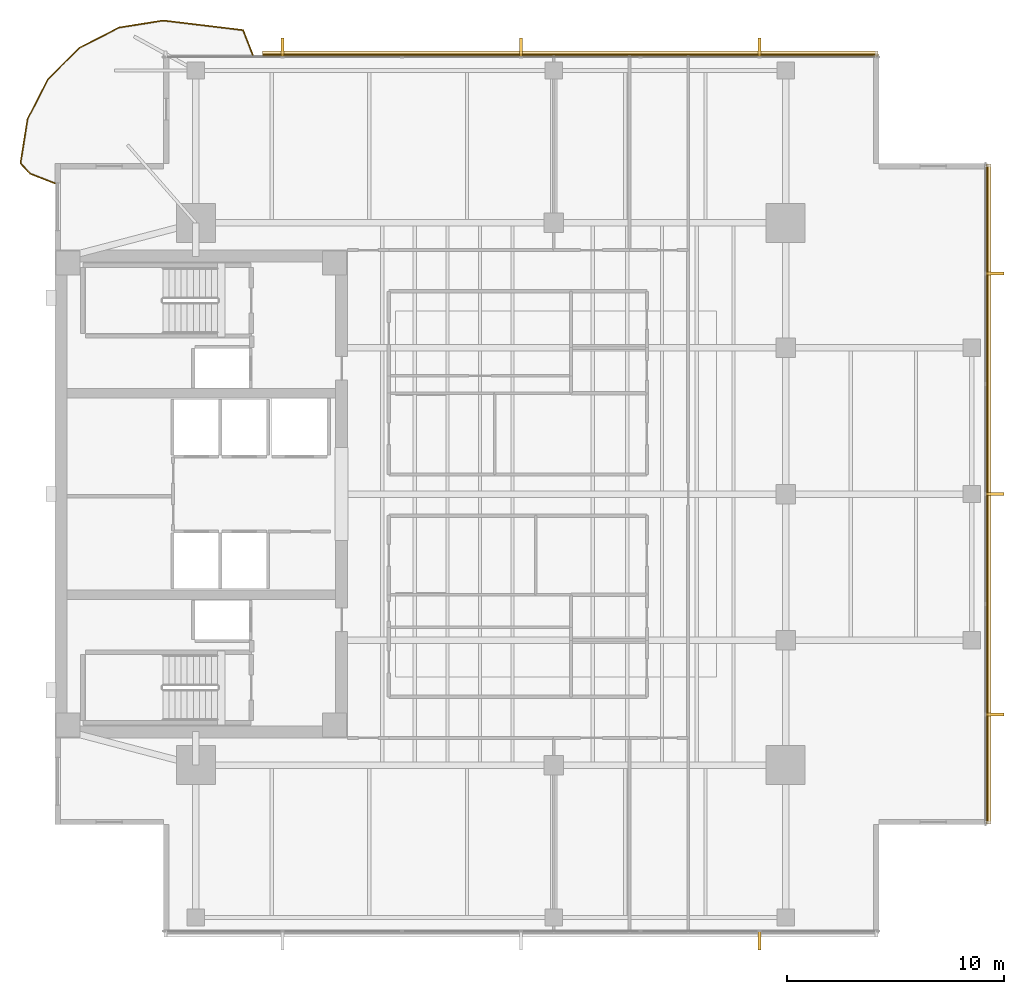
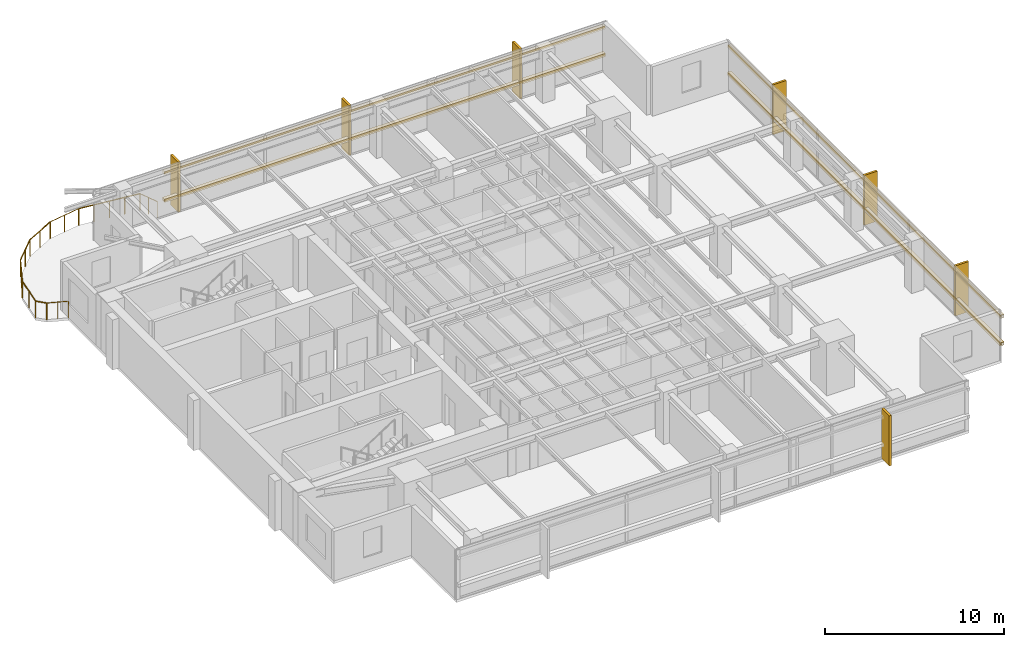
# One storey, part 14 of 14: 11 coverings, 9 railings, 4 shading devices.
"""IFC4 building model written with IfcOpenShell, lengths in metres."""

import ifcopenshell
import ifcopenshell.guid

model = None  # the IFC model being written
_history = None  # IfcOwnerHistory: only IFC2X3 demands one
_inside = {}  # id of a spatial element -> (the spatial element, [elements in it])
_under = {}  # id of a project, library or spatial element -> (it, [spatial elements below it])
_declared = {}  # id of a project -> (the project, [libraries it declares])
_typed = {}  # id of a type object -> (the type object, [elements of that type])
_made_of = {}  # id of a material, layer set ... -> (it, [elements and type objects made of it])


def new_model(schema):
    """Start an empty IFC model of exactly this schema.

    Asked for "IFC4X3", IfcOpenShell would pick the latest addendum, in which some entities
    have other attributes; the version numbers below select the first issue.
    IFC2X3 requires an IfcOwnerHistory on every rooted entity: one is made here for all.
    """
    global model, _history
    if schema == "IFC4X3":
        model = ifcopenshell.file(schema_version=(4, 3, 0, 0))
    else:
        model = ifcopenshell.file(schema=schema)
    _inside.clear()
    _under.clear()
    _declared.clear()
    _typed.clear()
    _made_of.clear()
    _history = None
    if model.schema == "IFC2X3":
        org = make("IfcOrganization", Name="unknown")
        user = make(
            "IfcPersonAndOrganization",
            ThePerson=make("IfcPerson", FamilyName="unknown"),
            TheOrganization=org,
        )
        app = make(
            "IfcApplication",
            ApplicationDeveloper=org,
            Version="unknown",
            ApplicationFullName="unknown",
            ApplicationIdentifier="unknown",
        )
        _history = make(
            "IfcOwnerHistory",
            OwningUser=user,
            OwningApplication=app,
            ChangeAction="ADDED",
            CreationDate=0,
        )
    return model


def make(cls, **values):
    """One entity of the class cls with the attributes given. An attribute that is None is left unset."""
    return model.create_entity(
        cls, **{name: value for name, value in values.items() if value is not None}
    )


def rooted(cls, **values):
    """An entity with a GlobalId (a new one), such as an element, a storey or a relation."""
    return make(cls, GlobalId=ifcopenshell.guid.new(), OwnerHistory=_history, **values)


def si_unit(unit_type, name, prefix=None):
    """IfcSIUnit, for example si_unit("LENGTHUNIT", "METRE", prefix="MILLI")."""
    return make("IfcSIUnit", UnitType=unit_type, Prefix=prefix, Name=name)


def assignment(units):
    """IfcUnitAssignment: the units of a project."""
    return None if units is None else make("IfcUnitAssignment", Units=units)


def point(xyz):
    """IfcCartesianPoint."""
    return None if xyz is None else make("IfcCartesianPoint", Coordinates=xyz)


def direction(xyz):
    """IfcDirection."""
    return None if xyz is None else make("IfcDirection", DirectionRatios=xyz)


def frame(location, z_axis=None, x_axis=None):
    """IfcAxis2Placement3D, a coordinate frame: its origin and axes. An axis left out is left unset."""
    return make(
        "IfcAxis2Placement3D",
        Location=point(location),
        Axis=direction(z_axis),
        RefDirection=direction(x_axis),
    )


def frame_2d(location, x_axis=None):
    """IfcAxis2Placement2D, a coordinate frame in the plane: its origin and x axis."""
    return make(
        "IfcAxis2Placement2D", Location=point(location), RefDirection=direction(x_axis)
    )


def origin():
    """The frame at (0, 0, 0) with its axes left unset."""
    return frame((0.0, 0.0, 0.0))


def origin_2d():
    """The frame at (0, 0) in the plane with its x axis left unset."""
    return frame_2d((0.0, 0.0))


def place(relative_to, where):
    """IfcLocalPlacement: puts the frame where relative to a parent placement (None: the world)."""
    return make(
        "IfcLocalPlacement", PlacementRelTo=relative_to, RelativePlacement=where
    )


def context(
    kind, dimensions, precision=None, world=None, true_north=None, identifier=None
):
    """IfcGeometricRepresentationContext, for example the 3D "Model" context."""
    return make(
        "IfcGeometricRepresentationContext",
        ContextIdentifier=identifier,
        ContextType=kind,
        CoordinateSpaceDimension=dimensions,
        Precision=precision,
        WorldCoordinateSystem=world,
        TrueNorth=true_north,
    )


def subcontext(parent, identifier, kind, view, scale=None):
    """IfcGeometricRepresentationSubContext, for example "Body" below "Model"."""
    return make(
        "IfcGeometricRepresentationSubContext",
        ContextIdentifier=identifier,
        ContextType=kind,
        ParentContext=parent,
        TargetScale=scale,
        TargetView=view,
    )


def project(units=None, contexts=None):
    """IfcProject with its units and contexts."""
    return rooted(
        "IfcProject",
        Name="project",
        RepresentationContexts=contexts,
        UnitsInContext=assignment(units),
    )


def spatial(cls, under=None, at=None, **own):
    """A site, building, storey or space (cls), placed at a placement, below another one or the project."""
    s = rooted(cls, ObjectPlacement=at, **own)
    if under is not None:
        _under.setdefault(under.id(), (under, []))[1].append(s)
    return s


def polyline(points):
    """IfcPolyline through the points."""
    return make("IfcPolyline", Points=[point(p) for p in points])


def profile(cls, at=None, kind="AREA", **sizes):
    """A parametric profile (cls). Its sizes go by their IFC names, for example OverallWidth=200.0."""
    return make(cls, ProfileType=kind, Position=at, **sizes)


def rectangle(**sizes):
    """IfcRectangleProfileDef."""
    return profile("IfcRectangleProfileDef", **sizes)


def circle(**sizes):
    """IfcCircleProfileDef."""
    return profile("IfcCircleProfileDef", **sizes)


def outline(outer, holes=None, kind="AREA"):
    """IfcArbitraryClosedProfileDef: a profile drawn as a closed curve; with holes, ...WithVoids."""
    if holes is None:
        return make("IfcArbitraryClosedProfileDef", ProfileType=kind, OuterCurve=outer)
    return make(
        "IfcArbitraryProfileDefWithVoids",
        ProfileType=kind,
        OuterCurve=outer,
        InnerCurves=holes,
    )


def extrude(swept, where, along, depth):
    """IfcExtrudedAreaSolid: the profile swept, set in the frame where, extruded along a direction by depth."""
    return make(
        "IfcExtrudedAreaSolid",
        SweptArea=swept,
        Position=where,
        ExtrudedDirection=direction(along),
        Depth=depth,
    )


def shape(context_of_items, identifier, shape_type, items):
    """IfcShapeRepresentation: the items that make up one representation, for example the "Body"."""
    return make(
        "IfcShapeRepresentation",
        ContextOfItems=context_of_items,
        RepresentationIdentifier=identifier,
        RepresentationType=shape_type,
        Items=items,
    )


def material(Name=None, Category=None):
    """IfcMaterial."""
    return make("IfcMaterial", Name=Name, Category=Category)


def layer(
    of_material, thickness, ventilated=None, Name=None, Category=None, Priority=None
):
    """IfcMaterialLayer: one layer of a wall or slab, of a material (None: an air gap)."""
    return make(
        "IfcMaterialLayer",
        Material=of_material,
        LayerThickness=thickness,
        IsVentilated=ventilated,
        Name=Name,
        Category=Category,
        Priority=Priority,
    )


def layer_set(layers, Name=None):
    """IfcMaterialLayerSet."""
    return make("IfcMaterialLayerSet", MaterialLayers=layers, LayerSetName=Name)


def material_profile(
    of_material, cross_section, Name=None, Category=None, Priority=None
):
    """IfcMaterialProfile: a cross section and its material."""
    return make(
        "IfcMaterialProfile",
        Name=Name,
        Material=of_material,
        Profile=cross_section,
        Priority=Priority,
        Category=Category,
    )


def profile_set(profiles, Name=None, composite=None):
    """IfcMaterialProfileSet."""
    return make(
        "IfcMaterialProfileSet",
        Name=Name,
        MaterialProfiles=profiles,
        CompositeProfile=composite,
    )


def made_of(thing, what):
    """Note that an element or type object is made of a material, layer set ...; save() writes the relation."""
    if what is not None:
        _made_of.setdefault(what.id(), (what, []))[1].append(thing)
    return thing


def type_object(cls, material=None, **own):
    """A type object (cls), such as IfcWallType, which elements share."""
    return made_of(rooted(cls, **own), material)


def element(
    cls,
    number,
    at=None,
    inside=None,
    cuts=None,
    type_object=None,
    material=None,
    context=None,
    identifier="Body",
    shape_type=None,
    held_by="IfcProductDefinitionShape",
    body=None,
    shapes=None,
    **own,
):
    """One element of the class cls, such as IfcWall. Its Tag is "e" and its number.

    at: its placement. inside: the storey or other place that contains it. cuts: it is an
    opening in that element (IfcRelVoidsElement). A single representation is given by context,
    identifier, shape_type and body (its items); several are given by shapes. held_by: the class
    of the entity that holds the representations. save() writes the other relations.
    """
    e = rooted(cls, Tag="e%d" % number, ObjectPlacement=at, **own)
    if body is not None:
        shapes = [shape(context, identifier, shape_type, body)]
    if shapes is not None:
        e.Representation = make(held_by, Representations=shapes)
    if inside is not None:
        _inside.setdefault(inside.id(), (inside, []))[1].append(e)
    if cuts is not None:
        rooted(
            "IfcRelVoidsElement", RelatingBuildingElement=cuts, RelatedOpeningElement=e
        )
    if type_object is not None:
        _typed.setdefault(type_object.id(), (type_object, []))[1].append(e)
    return made_of(e, material)


def aggregate(whole, parts):
    """IfcRelAggregates: a whole, such as a stair, and the parts it consists of."""
    return rooted("IfcRelAggregates", RelatingObject=whole, RelatedObjects=parts)


def save(model, path):
    """Write the relations noted so far, then the file.

    IfcRelAggregates (storeys below a building ...), IfcRelContainedInSpatialStructure (elements
    in a storey), IfcRelDefinesByType, IfcRelAssociatesMaterial and IfcRelDeclares: one each for
    every whole, place, type object, material and project.
    """
    for whole, parts in _under.values():
        aggregate(whole, parts)
    for where, things in _inside.values():
        rooted(
            "IfcRelContainedInSpatialStructure",
            RelatedElements=things,
            RelatingStructure=where,
        )
    for kind, things in _typed.values():
        rooted("IfcRelDefinesByType", RelatedObjects=things, RelatingType=kind)
    for what, things in _made_of.values():
        rooted("IfcRelAssociatesMaterial", RelatedObjects=things, RelatingMaterial=what)
    for by, libraries in _declared.values():
        rooted("IfcRelDeclares", RelatingContext=by, RelatedDefinitions=libraries)
    model.write(path)


model = new_model("IFC4")

# Units and contexts
model_context = context("Model", 3, precision=1e-05, world=origin(), true_north=direction((0.0, 1.0)))
body_context = subcontext(model_context, "Body", "Model", "MODEL_VIEW")
ifc_project = project(units=[si_unit("LENGTHUNIT", "METRE"), si_unit("AREAUNIT", "SQUARE_METRE"), si_unit("VOLUMEUNIT", "CUBIC_METRE"), si_unit("PLANEANGLEUNIT", "RADIAN"), si_unit("MASSUNIT", "GRAM", prefix="KILO")], contexts=[model_context])

# Site, building, storey
site_placement = place(None, origin())
site = spatial("IfcSite", under=ifc_project, at=site_placement, CompositionType="ELEMENT")
building_placement = place(site_placement, origin())
building = spatial("IfcBuilding", under=site, at=building_placement, Name="Kinhvarn Gate Tower", CompositionType="ELEMENT")
storey_placement = place(building_placement, frame((0.0, 0.0, 216.449951171875)))
storey = spatial("IfcBuildingStorey", under=building, at=storey_placement, Name="L57", CompositionType="ELEMENT", Elevation=216.449951171875)

# Coverings
ifc_material_1 = material(Name="Fired architectural terracotta", Category="masonry")
ifc_layer_1 = layer(ifc_material_1, 0.239990234375)
ifc_layer_set_1 = layer_set([ifc_layer_1], Name="Fired architectural terracotta")
covering_type_1 = type_object("IfcCoveringType", Name="COV-BAG-220", PredefinedType="CLADDING", material=ifc_layer_set_1)
covering_1_placement = place(storey_placement, frame((0.0, 0.0, 0.93994140625)))
element("IfcCovering", 1, at=covering_1_placement, inside=storey, type_object=covering_type_1, Name="Terracotta Horizontal Sunscreen Band TBG-220 (L57)", PredefinedType="CLADDING", context=body_context, shape_type="SweptSolid", body=[
    extrude(outline(polyline([(42.4599609375, 45.429931640625), (14.075927734375, 45.429931640625), (14.075927734375, 45.669921875), (42.4599609375, 45.669921875), (42.4599609375, 45.429931640625)])), origin(), (0.0, 0.0, 1.0), 0.22021484375),
])
covering_2_placement = place(storey_placement, frame((0.0, 0.0, 2.81005859375)))
element("IfcCovering", 2, at=covering_2_placement, inside=storey, type_object=covering_type_1, Name="Terracotta Horizontal Sunscreen Band TBG-220 (L57)", PredefinedType="CLADDING", context=body_context, shape_type="SweptSolid", body=[
    extrude(outline(polyline([(42.4599609375, 45.429931640625), (14.075927734375, 45.429931640625), (14.075927734375, 45.669921875), (42.4599609375, 45.669921875), (42.4599609375, 45.429931640625)])), origin(), (0.0, 0.0, 1.0), 0.219970703125),
])
covering_3_placement = place(storey_placement, frame((0.0, 0.0, 0.93994140625)))
element("IfcCovering", 3, at=covering_3_placement, inside=storey, type_object=covering_type_1, Name="Terracotta Horizontal Sunscreen Band TBG-220 (L57)", PredefinedType="CLADDING", context=body_context, shape_type="SweptSolid", body=[
    extrude(outline(polyline([(47.429931640625, 10.0400390625), (47.429931640625, 40.4599609375), (47.669921875, 40.4599609375), (47.669921875, 10.0400390625), (47.429931640625, 10.0400390625)])), origin(), (0.0, 0.0, 1.0), 0.22021484375),
])
covering_4_placement = place(storey_placement, frame((0.0, 0.0, 2.81005859375)))
element("IfcCovering", 4, at=covering_4_placement, inside=storey, type_object=covering_type_1, Name="Terracotta Horizontal Sunscreen Band TBG-220 (L57)", PredefinedType="CLADDING", context=body_context, shape_type="SweptSolid", body=[
    extrude(outline(polyline([(47.429931640625, 10.0400390625), (47.429931640625, 40.4599609375), (47.669921875, 40.4599609375), (47.669921875, 10.0400390625), (47.429931640625, 10.0400390625)])), origin(), (0.0, 0.0, 1.0), 0.219970703125),
])
ifc_layer_2 = layer(ifc_material_1, 0.139892578125)
ifc_layer_set_2 = layer_set([ifc_layer_2], Name="Fired architectural terracotta")
covering_type_2 = type_object("IfcCoveringType", Name="COV-FIN-850", PredefinedType="CLADDING", material=ifc_layer_set_2)
covering_5_placement = place(storey_placement, frame((0.0, 0.0, -0.02001953125)))
element("IfcCovering", 5, at=covering_5_placement, inside=storey, type_object=covering_type_2, Name="Vertical Terracotta Expressive Fin TFN-850 (L57)", PredefinedType="CLADDING", context=body_context, shape_type="SweptSolid", body=[
    extrude(outline(polyline([(36.929931640625, 5.080078125), (37.070068359375, 5.080078125), (37.070068359375, 4.22998046875), (36.929931640625, 4.22998046875), (36.929931640625, 5.080078125)])), origin(), (0.0, 0.0, 1.0), 3.41015625),
])
covering_6_placement = place(storey_placement, frame((0.0, 0.0, -0.02001953125)))
element("IfcCovering", 6, at=covering_6_placement, inside=storey, type_object=covering_type_2, Name="Vertical Terracotta Expressive Fin TFN-850 (L57)", PredefinedType="CLADDING", context=body_context, shape_type="SweptSolid", body=[
    extrude(outline(polyline([(37.070068359375, 45.419921875), (36.929931640625, 45.419921875), (36.929931640625, 46.27001953125), (37.070068359375, 46.27001953125), (37.070068359375, 45.419921875)])), origin(), (0.0, 0.0, 1.0), 3.41015625),
])
covering_7_placement = place(storey_placement, frame((0.0, 0.0, -0.02001953125)))
element("IfcCovering", 7, at=covering_7_placement, inside=storey, type_object=covering_type_2, Name="Vertical Terracotta Expressive Fin TFN-850 (L57)", PredefinedType="CLADDING", context=body_context, shape_type="SweptSolid", body=[
    extrude(outline(polyline([(26.070068359375, 45.419921875), (25.929931640625, 45.419921875), (25.929931640625, 46.27001953125), (26.070068359375, 46.27001953125), (26.070068359375, 45.419921875)])), origin(), (0.0, 0.0, 1.0), 3.41015625),
])
covering_8_placement = place(storey_placement, frame((0.0, 0.0, -0.02001953125)))
element("IfcCovering", 8, at=covering_8_placement, inside=storey, type_object=covering_type_2, Name="Vertical Terracotta Expressive Fin TFN-850 (L57)", PredefinedType="CLADDING", context=body_context, shape_type="SweptSolid", body=[
    extrude(outline(polyline([(15.070068359375, 45.419921875), (14.929931640625, 45.419921875), (14.929931640625, 46.27001953125), (15.070068359375, 46.27001953125), (15.070068359375, 45.419921875)])), origin(), (0.0, 0.0, 1.0), 3.41015625),
])
covering_9_placement = place(storey_placement, frame((0.0, 0.0, -0.02001953125)))
element("IfcCovering", 9, at=covering_9_placement, inside=storey, type_object=covering_type_2, Name="Vertical Terracotta Expressive Fin TFN-850 (L57)", PredefinedType="CLADDING", context=body_context, shape_type="SweptSolid", body=[
    extrude(outline(polyline([(47.419921875, 15.01318359375), (47.419921875, 15.1533203125), (48.27001953125, 15.1533203125), (48.27001953125, 15.01318359375), (47.419921875, 15.01318359375)])), origin(), (0.0, 0.0, 1.0), 3.41015625),
])
covering_10_placement = place(storey_placement, frame((0.0, 0.0, -0.02001953125)))
element("IfcCovering", 10, at=covering_10_placement, inside=storey, type_object=covering_type_2, Name="Vertical Terracotta Expressive Fin TFN-850 (L57)", PredefinedType="CLADDING", context=body_context, shape_type="SweptSolid", body=[
    extrude(outline(polyline([(47.419921875, 25.179931640625), (47.419921875, 25.320068359375), (48.27001953125, 25.320068359375), (48.27001953125, 25.179931640625), (47.419921875, 25.179931640625)])), origin(), (0.0, 0.0, 1.0), 3.41015625),
])
covering_11_placement = place(storey_placement, frame((0.0, 0.0, -0.02001953125)))
element("IfcCovering", 11, at=covering_11_placement, inside=storey, type_object=covering_type_2, Name="Vertical Terracotta Expressive Fin TFN-850 (L57)", PredefinedType="CLADDING", context=body_context, shape_type="SweptSolid", body=[
    extrude(outline(polyline([(47.419921875, 35.3466796875), (47.419921875, 35.48681640625), (48.27001953125, 35.48681640625), (48.27001953125, 35.3466796875), (47.419921875, 35.3466796875)])), origin(), (0.0, 0.0, 1.0), 3.41015625),
])

# Railings
ifc_material_2 = material(Name="Clear low-e double glazing", Category="glass")
railing_type = type_object("IfcRailingType", Name="RL-BAL-1150", PredefinedType="BALUSTRADE", material=ifc_material_2)
railing_1_placement = place(storey_placement, frame((13.6259765625, 45.5, 0.0)))
element("IfcRailing", 12, at=railing_1_placement, inside=storey, type_object=railing_type, Name="S-Carve Balcony Guardrail Seg 1 (L57)", PredefinedType="BALUSTRADE", context=body_context, shape_type="SweptSolid", body=[
    extrude(circle(Radius=0.02392578125, at=origin_2d()), frame((0.0, 0.0, 1.1259765625), z_axis=(-0.366414994063, 0.930451531315, 0.0), x_axis=(-0.930451531315, -0.366414994063, 0.0)), (0.0, 0.0, 1.0), 1.22802734375),
    extrude(circle(Radius=0.02099609375, at=origin_2d()), origin(), (0.0, 0.0, 1.0), 1.101806640625),
    extrude(circle(Radius=0.02099609375, at=origin_2d()), frame((-0.22509765625, 0.5712890625, 0.0)), (0.0, 0.0, 1.0), 1.101806640625),
    extrude(circle(Radius=0.02099609375, at=origin_2d()), frame((-0.449951171875, 1.142578125, 0.0)), (0.0, 0.0, 1.0), 1.101806640625),
])
railing_2_placement = place(storey_placement, frame((13.176025390625, 46.642578125, 0.0)))
element("IfcRailing", 13, at=railing_2_placement, inside=storey, type_object=railing_type, Name="S-Carve Balcony Guardrail Seg 2 (L57)", PredefinedType="BALUSTRADE", context=body_context, shape_type="SweptSolid", body=[
    extrude(circle(Radius=0.02392578125, at=origin_2d()), frame((0.0, 0.0, 1.1259765625), z_axis=(-0.992773824562, 0.12000055527, 0.0), x_axis=(-0.12000055527, -0.992773824562, 0.0)), (0.0, 0.0, 1.0), 3.702880859375),
    extrude(circle(Radius=0.02099609375, at=origin_2d()), origin(), (0.0, 0.0, 1.0), 1.101806640625),
    extrude(circle(Radius=0.02099609375, at=origin_2d()), frame((-0.9189453125, 0.111083984375, 0.0)), (0.0, 0.0, 1.0), 1.101806640625),
    extrude(circle(Radius=0.02099609375, at=origin_2d()), frame((-1.837890625, 0.22216796875, 0.0)), (0.0, 0.0, 1.0), 1.101806640625),
    extrude(circle(Radius=0.02099609375, at=origin_2d()), frame((-2.757080078125, 0.333251953125, 0.0)), (0.0, 0.0, 1.0), 1.101806640625),
    extrude(circle(Radius=0.02099609375, at=origin_2d()), frame((-3.676025390625, 0.4443359375, 0.0)), (0.0, 0.0, 1.0), 1.101806640625),
])
railing_3_placement = place(storey_placement, frame((9.5, 47.0869140625, 0.0)))
element("IfcRailing", 14, at=railing_3_placement, inside=storey, type_object=railing_type, Name="S-Carve Balcony Guardrail Seg 3 (L57)", PredefinedType="BALUSTRADE", context=body_context, shape_type="SweptSolid", body=[
    extrude(circle(Radius=0.02392578125, at=origin_2d()), frame((0.0, 0.0, 1.1259765625), z_axis=(-0.987696596152, -0.156382332604, 0.0), x_axis=(0.156382332604, -0.987696596152, 0.0)), (0.0, 0.0, 1.0), 2.060791015625),
    extrude(circle(Radius=0.02099609375, at=origin_2d()), origin(), (0.0, 0.0, 1.0), 1.101806640625),
    extrude(circle(Radius=0.02099609375, at=origin_2d()), frame((-1.017578125, -0.1611328125, 0.0)), (0.0, 0.0, 1.0), 1.101806640625),
    extrude(circle(Radius=0.02099609375, at=origin_2d()), frame((-2.035400390625, -0.322265625, 0.0)), (0.0, 0.0, 1.0), 1.101806640625),
])
railing_4_placement = place(storey_placement, frame((7.464599609375, 46.7646484375, 0.0)))
element("IfcRailing", 15, at=railing_4_placement, inside=storey, type_object=railing_type, Name="S-Carve Balcony Guardrail Seg 4 (L57)", PredefinedType="BALUSTRADE", context=body_context, shape_type="SweptSolid", body=[
    extrude(circle(Radius=0.02392578125, at=origin_2d()), frame((0.0, 0.0, 1.1259765625), z_axis=(-0.89101327659, -0.453977247161, 0.0), x_axis=(0.453977247161, -0.89101327659, 0.0)), (0.0, 0.0, 1.0), 2.060791015625),
    extrude(circle(Radius=0.02099609375, at=origin_2d()), origin(), (0.0, 0.0, 1.0), 1.101806640625),
    extrude(circle(Radius=0.02099609375, at=origin_2d()), frame((-0.91796875, -0.4677734375, 0.0)), (0.0, 0.0, 1.0), 1.101806640625),
    extrude(circle(Radius=0.02099609375, at=origin_2d()), frame((-1.836181640625, -0.935546875, 0.0)), (0.0, 0.0, 1.0), 1.101806640625),
])
railing_5_placement = place(storey_placement, frame((5.62841796875, 45.8291015625, 0.0)))
element("IfcRailing", 16, at=railing_5_placement, inside=storey, type_object=railing_type, Name="S-Carve Balcony Guardrail Seg 5 (L57)", PredefinedType="BALUSTRADE", context=body_context, shape_type="SweptSolid", body=[
    extrude(circle(Radius=0.02392578125, at=origin_2d()), frame((0.0, 0.0, 1.1259765625), z_axis=(-0.707106781187, -0.707106781187, 0.0), x_axis=(0.707106781187, -0.707106781187, 0.0)), (0.0, 0.0, 1.0), 2.061279296875),
    extrude(circle(Radius=0.02099609375, at=origin_2d()), origin(), (0.0, 0.0, 1.0), 1.101806640625),
    extrude(circle(Radius=0.02099609375, at=origin_2d()), frame((-0.728759765625, -0.728759765625, 0.0)), (0.0, 0.0, 1.0), 1.101806640625),
    extrude(circle(Radius=0.02099609375, at=origin_2d()), frame((-1.45751953125, -1.45751953125, 0.0)), (0.0, 0.0, 1.0), 1.101806640625),
])
railing_6_placement = place(storey_placement, frame((4.1708984375, 44.37158203125, 0.0)))
element("IfcRailing", 17, at=railing_6_placement, inside=storey, type_object=railing_type, Name="S-Carve Balcony Guardrail Seg 6 (L57)", PredefinedType="BALUSTRADE", context=body_context, shape_type="SweptSolid", body=[
    extrude(circle(Radius=0.02392578125, at=origin_2d()), frame((0.0, 0.0, 1.1259765625), z_axis=(-0.453977247161, -0.89101327659, 0.0), x_axis=(0.89101327659, -0.453977247161, 0.0)), (0.0, 0.0, 1.0), 2.060791015625),
    extrude(circle(Radius=0.02099609375, at=origin_2d()), origin(), (0.0, 0.0, 1.0), 1.101806640625),
    extrude(circle(Radius=0.02099609375, at=origin_2d()), frame((-0.4677734375, -0.91796875, 0.0)), (0.0, 0.0, 1.0), 1.101806640625),
    extrude(circle(Radius=0.02099609375, at=origin_2d()), frame((-0.935546875, -1.836181640625, 0.0)), (0.0, 0.0, 1.0), 1.101806640625),
])
railing_7_placement = place(storey_placement, frame((3.2353515625, 42.535400390625, 0.0)))
element("IfcRailing", 18, at=railing_7_placement, inside=storey, type_object=railing_type, Name="S-Carve Balcony Guardrail Seg 7 (L57)", PredefinedType="BALUSTRADE", context=body_context, shape_type="SweptSolid", body=[
    extrude(circle(Radius=0.02392578125, at=origin_2d()), frame((0.0, 0.0, 1.1259765625), z_axis=(-0.156382332604, -0.987696596152, 0.0), x_axis=(0.987696596152, -0.156382332604, 0.0)), (0.0, 0.0, 1.0), 2.060791015625),
    extrude(circle(Radius=0.02099609375, at=origin_2d()), origin(), (0.0, 0.0, 1.0), 1.101806640625),
    extrude(circle(Radius=0.02099609375, at=origin_2d()), frame((-0.1611328125, -1.017578125, 0.0)), (0.0, 0.0, 1.0), 1.101806640625),
    extrude(circle(Radius=0.02099609375, at=origin_2d()), frame((-0.322265625, -2.035400390625, 0.0)), (0.0, 0.0, 1.0), 1.101806640625),
])
railing_8_placement = place(storey_placement, frame((2.9130859375, 40.5, 0.0)))
element("IfcRailing", 19, at=railing_8_placement, inside=storey, type_object=railing_type, Name="S-Carve Balcony Guardrail Seg 8 (L57)", PredefinedType="BALUSTRADE", context=body_context, shape_type="SweptSolid", body=[
    extrude(circle(Radius=0.02392578125, at=origin_2d()), frame((0.0, 0.0, 1.1259765625), z_axis=(0.684754192472, -0.728774104845, 0.0), x_axis=(0.728774104845, 0.684754192472, 0.0)), (0.0, 0.0, 1.0), 0.64892578125),
    extrude(circle(Radius=0.02099609375, at=origin_2d()), origin(), (0.0, 0.0, 1.0), 1.101806640625),
    extrude(circle(Radius=0.02099609375, at=origin_2d()), frame((0.4443359375, -0.472900390625, 0.0)), (0.0, 0.0, 1.0), 1.101806640625),
])
railing_9_placement = place(storey_placement, frame((3.357421875, 40.027099609375, 0.0)))
element("IfcRailing", 20, at=railing_9_placement, inside=storey, type_object=railing_type, Name="S-Carve Balcony Guardrail Seg 9 (L57)", PredefinedType="BALUSTRADE", context=body_context, shape_type="SweptSolid", body=[
    extrude(circle(Radius=0.02392578125, at=origin_2d()), frame((0.0, 0.0, 1.1259765625), z_axis=(0.930383738255, -0.366587096868, 0.0), x_axis=(0.366587096868, 0.930383738255, 0.0)), (0.0, 0.0, 1.0), 1.22802734375),
    extrude(circle(Radius=0.02099609375, at=origin_2d()), origin(), (0.0, 0.0, 1.0), 1.101806640625),
    extrude(circle(Radius=0.02099609375, at=origin_2d()), frame((0.5712890625, -0.22509765625, 0.0)), (0.0, 0.0, 1.0), 1.101806640625),
    extrude(circle(Radius=0.02099609375, at=origin_2d()), frame((1.142578125, -0.4501953125, 0.0)), (0.0, 0.0, 1.0), 1.101806640625),
])

# Shading devices
ifc_material_profile = material_profile(ifc_material_1, rectangle(XDim=0.050048828125, YDim=0.1201171875, at=origin_2d()), Name="TC 50x120")
ifc_profile_set = profile_set([ifc_material_profile], Name="Fired architectural terracotta")
shading_device_type = type_object("IfcShadingDeviceType", Name="SHD-BAG-140", PredefinedType="USERDEFINED", material=ifc_profile_set)
for number, where, z_axis, x_axis, name in (
    (21, (42.4599609375, 45.5, 1.050048828125), (-1.0, 0.0, 0.0), (0.0, -1.0, 0.0), "Upper Tower Terracotta Baguette Screen Rod 50x120 mm (L57)"),
    (22, (42.4599609375, 45.5, 2.920166015625), (-1.0, 0.0, 0.0), (0.0, -1.0, 0.0), "Upper Tower Terracotta Baguette Screen Rod 50x120 mm (L57)"),
):
    element("IfcShadingDevice", number, at=place(storey_placement, frame(where, z_axis=z_axis, x_axis=x_axis)), inside=storey, type_object=shading_device_type, Name=name, ObjectType="BAGUETTE", PredefinedType="USERDEFINED", context=body_context, shape_type="SweptSolid", body=[
        extrude(rectangle(XDim=0.050048828125, YDim=0.1201171875, at=origin_2d()), origin(), (0.0, 0.0, 1.0), 28.384033203125),
    ])
for number, where, z_axis, x_axis, name in (
    (23, (47.5, 10.0400390625, 1.050048828125), (0.0, 1.0, 0.0), (-1.0, 0.0, 0.0), "Upper Tower Terracotta Baguette Screen Rod 50x120 mm (L57)"),
    (24, (47.5, 10.0400390625, 2.920166015625), (0.0, 1.0, 0.0), (-1.0, 0.0, 0.0), "Upper Tower Terracotta Baguette Screen Rod 50x120 mm (L57)"),
):
    element("IfcShadingDevice", number, at=place(storey_placement, frame(where, z_axis=z_axis, x_axis=x_axis)), inside=storey, type_object=shading_device_type, Name=name, ObjectType="BAGUETTE", PredefinedType="USERDEFINED", context=body_context, shape_type="SweptSolid", body=[
        extrude(rectangle(XDim=0.050048828125, YDim=0.1201171875, at=origin_2d()), origin(), (0.0, 0.0, 1.0), 30.419921875),
    ])

save(model, "model.ifc")
